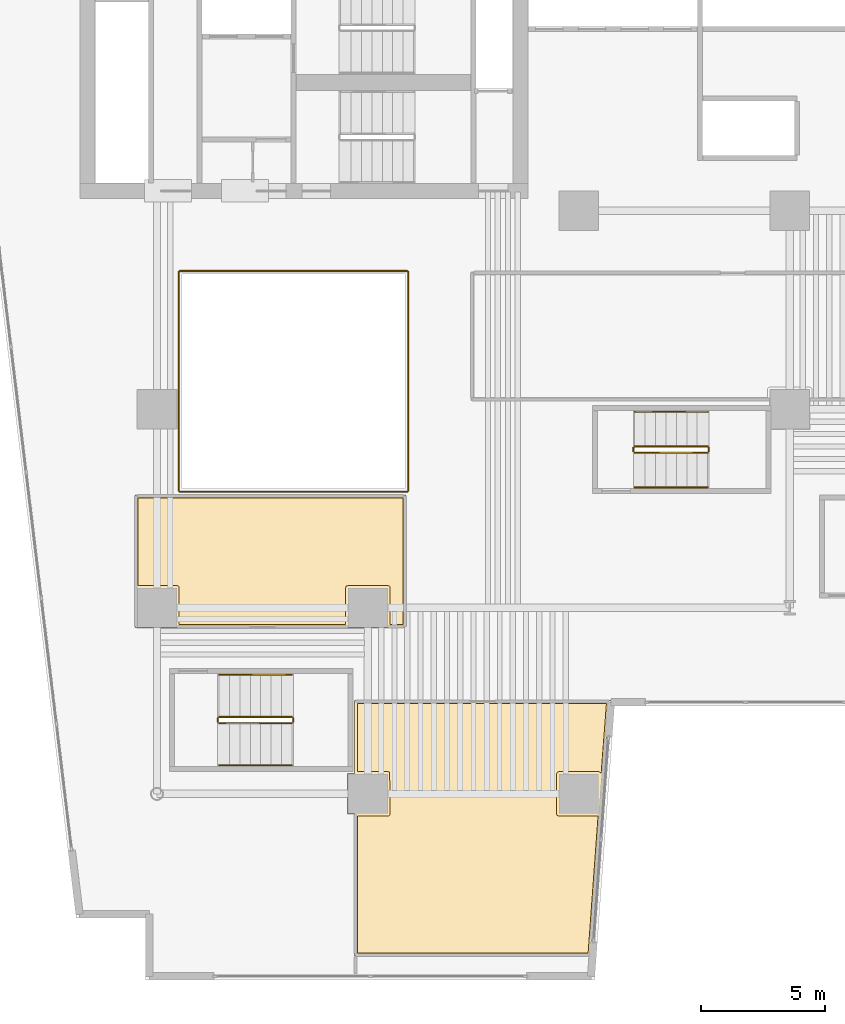
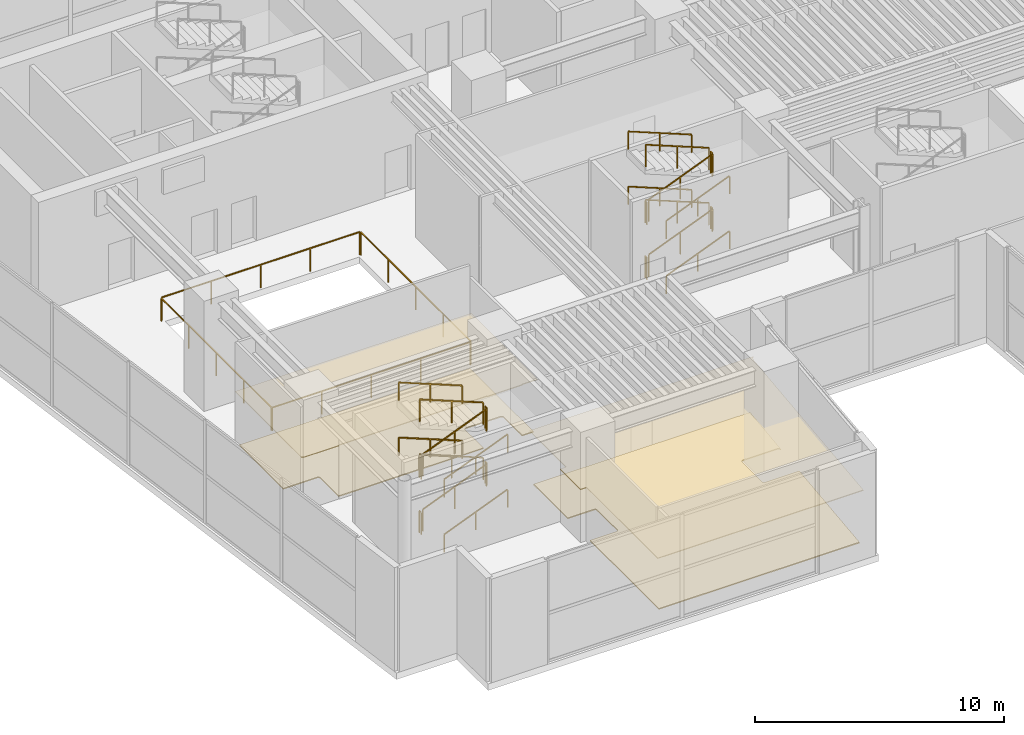
# One storey, part 13 of 16: 28 railings, 4 coverings.
"""IFC4 building model written with IfcOpenShell, lengths in metres."""

import ifcopenshell
import ifcopenshell.guid

model = None  # the IFC model being written
_history = None  # IfcOwnerHistory: only IFC2X3 demands one
_inside = {}  # id of a spatial element -> (the spatial element, [elements in it])
_under = {}  # id of a project, library or spatial element -> (it, [spatial elements below it])
_declared = {}  # id of a project -> (the project, [libraries it declares])
_typed = {}  # id of a type object -> (the type object, [elements of that type])
_made_of = {}  # id of a material, layer set ... -> (it, [elements and type objects made of it])


def new_model(schema):
    """Start an empty IFC model of exactly this schema.

    Asked for "IFC4X3", IfcOpenShell would pick the latest addendum, in which some entities
    have other attributes; the version numbers below select the first issue.
    IFC2X3 requires an IfcOwnerHistory on every rooted entity: one is made here for all.
    """
    global model, _history
    if schema == "IFC4X3":
        model = ifcopenshell.file(schema_version=(4, 3, 0, 0))
    else:
        model = ifcopenshell.file(schema=schema)
    _inside.clear()
    _under.clear()
    _declared.clear()
    _typed.clear()
    _made_of.clear()
    _history = None
    if model.schema == "IFC2X3":
        org = make("IfcOrganization", Name="unknown")
        user = make(
            "IfcPersonAndOrganization",
            ThePerson=make("IfcPerson", FamilyName="unknown"),
            TheOrganization=org,
        )
        app = make(
            "IfcApplication",
            ApplicationDeveloper=org,
            Version="unknown",
            ApplicationFullName="unknown",
            ApplicationIdentifier="unknown",
        )
        _history = make(
            "IfcOwnerHistory",
            OwningUser=user,
            OwningApplication=app,
            ChangeAction="ADDED",
            CreationDate=0,
        )
    return model


def make(cls, **values):
    """One entity of the class cls with the attributes given. An attribute that is None is left unset."""
    return model.create_entity(
        cls, **{name: value for name, value in values.items() if value is not None}
    )


def rooted(cls, **values):
    """An entity with a GlobalId (a new one), such as an element, a storey or a relation."""
    return make(cls, GlobalId=ifcopenshell.guid.new(), OwnerHistory=_history, **values)


def si_unit(unit_type, name, prefix=None):
    """IfcSIUnit, for example si_unit("LENGTHUNIT", "METRE", prefix="MILLI")."""
    return make("IfcSIUnit", UnitType=unit_type, Prefix=prefix, Name=name)


def assignment(units):
    """IfcUnitAssignment: the units of a project."""
    return None if units is None else make("IfcUnitAssignment", Units=units)


def point(xyz):
    """IfcCartesianPoint."""
    return None if xyz is None else make("IfcCartesianPoint", Coordinates=xyz)


def direction(xyz):
    """IfcDirection."""
    return None if xyz is None else make("IfcDirection", DirectionRatios=xyz)


def frame(location, z_axis=None, x_axis=None):
    """IfcAxis2Placement3D, a coordinate frame: its origin and axes. An axis left out is left unset."""
    return make(
        "IfcAxis2Placement3D",
        Location=point(location),
        Axis=direction(z_axis),
        RefDirection=direction(x_axis),
    )


def frame_2d(location, x_axis=None):
    """IfcAxis2Placement2D, a coordinate frame in the plane: its origin and x axis."""
    return make(
        "IfcAxis2Placement2D", Location=point(location), RefDirection=direction(x_axis)
    )


def origin():
    """The frame at (0, 0, 0) with its axes left unset."""
    return frame((0.0, 0.0, 0.0))


def origin_2d():
    """The frame at (0, 0) in the plane with its x axis left unset."""
    return frame_2d((0.0, 0.0))


def place(relative_to, where):
    """IfcLocalPlacement: puts the frame where relative to a parent placement (None: the world)."""
    return make(
        "IfcLocalPlacement", PlacementRelTo=relative_to, RelativePlacement=where
    )


def context(
    kind, dimensions, precision=None, world=None, true_north=None, identifier=None
):
    """IfcGeometricRepresentationContext, for example the 3D "Model" context."""
    return make(
        "IfcGeometricRepresentationContext",
        ContextIdentifier=identifier,
        ContextType=kind,
        CoordinateSpaceDimension=dimensions,
        Precision=precision,
        WorldCoordinateSystem=world,
        TrueNorth=true_north,
    )


def subcontext(parent, identifier, kind, view, scale=None):
    """IfcGeometricRepresentationSubContext, for example "Body" below "Model"."""
    return make(
        "IfcGeometricRepresentationSubContext",
        ContextIdentifier=identifier,
        ContextType=kind,
        ParentContext=parent,
        TargetScale=scale,
        TargetView=view,
    )


def project(units=None, contexts=None):
    """IfcProject with its units and contexts."""
    return rooted(
        "IfcProject",
        Name="project",
        RepresentationContexts=contexts,
        UnitsInContext=assignment(units),
    )


def spatial(cls, under=None, at=None, **own):
    """A site, building, storey or space (cls), placed at a placement, below another one or the project."""
    s = rooted(cls, ObjectPlacement=at, **own)
    if under is not None:
        _under.setdefault(under.id(), (under, []))[1].append(s)
    return s


def polyline(points):
    """IfcPolyline through the points."""
    return make("IfcPolyline", Points=[point(p) for p in points])


def profile(cls, at=None, kind="AREA", **sizes):
    """A parametric profile (cls). Its sizes go by their IFC names, for example OverallWidth=200.0."""
    return make(cls, ProfileType=kind, Position=at, **sizes)


def rectangle(**sizes):
    """IfcRectangleProfileDef."""
    return profile("IfcRectangleProfileDef", **sizes)


def outline(outer, holes=None, kind="AREA"):
    """IfcArbitraryClosedProfileDef: a profile drawn as a closed curve; with holes, ...WithVoids."""
    if holes is None:
        return make("IfcArbitraryClosedProfileDef", ProfileType=kind, OuterCurve=outer)
    return make(
        "IfcArbitraryProfileDefWithVoids",
        ProfileType=kind,
        OuterCurve=outer,
        InnerCurves=holes,
    )


def extrude(swept, where, along, depth):
    """IfcExtrudedAreaSolid: the profile swept, set in the frame where, extruded along a direction by depth."""
    return make(
        "IfcExtrudedAreaSolid",
        SweptArea=swept,
        Position=where,
        ExtrudedDirection=direction(along),
        Depth=depth,
    )


def shape(context_of_items, identifier, shape_type, items):
    """IfcShapeRepresentation: the items that make up one representation, for example the "Body"."""
    return make(
        "IfcShapeRepresentation",
        ContextOfItems=context_of_items,
        RepresentationIdentifier=identifier,
        RepresentationType=shape_type,
        Items=items,
    )


def material(Name=None, Category=None):
    """IfcMaterial."""
    return make("IfcMaterial", Name=Name, Category=Category)


def layer(
    of_material, thickness, ventilated=None, Name=None, Category=None, Priority=None
):
    """IfcMaterialLayer: one layer of a wall or slab, of a material (None: an air gap)."""
    return make(
        "IfcMaterialLayer",
        Material=of_material,
        LayerThickness=thickness,
        IsVentilated=ventilated,
        Name=Name,
        Category=Category,
        Priority=Priority,
    )


def layer_set(layers, Name=None):
    """IfcMaterialLayerSet."""
    return make("IfcMaterialLayerSet", MaterialLayers=layers, LayerSetName=Name)


def made_of(thing, what):
    """Note that an element or type object is made of a material, layer set ...; save() writes the relation."""
    if what is not None:
        _made_of.setdefault(what.id(), (what, []))[1].append(thing)
    return thing


def type_object(cls, material=None, **own):
    """A type object (cls), such as IfcWallType, which elements share."""
    return made_of(rooted(cls, **own), material)


def element(
    cls,
    number,
    at=None,
    inside=None,
    cuts=None,
    type_object=None,
    material=None,
    context=None,
    identifier="Body",
    shape_type=None,
    held_by="IfcProductDefinitionShape",
    body=None,
    shapes=None,
    **own,
):
    """One element of the class cls, such as IfcWall. Its Tag is "e" and its number.

    at: its placement. inside: the storey or other place that contains it. cuts: it is an
    opening in that element (IfcRelVoidsElement). A single representation is given by context,
    identifier, shape_type and body (its items); several are given by shapes. held_by: the class
    of the entity that holds the representations. save() writes the other relations.
    """
    e = rooted(cls, Tag="e%d" % number, ObjectPlacement=at, **own)
    if body is not None:
        shapes = [shape(context, identifier, shape_type, body)]
    if shapes is not None:
        e.Representation = make(held_by, Representations=shapes)
    if inside is not None:
        _inside.setdefault(inside.id(), (inside, []))[1].append(e)
    if cuts is not None:
        rooted(
            "IfcRelVoidsElement", RelatingBuildingElement=cuts, RelatedOpeningElement=e
        )
    if type_object is not None:
        _typed.setdefault(type_object.id(), (type_object, []))[1].append(e)
    return made_of(e, material)


def aggregate(whole, parts):
    """IfcRelAggregates: a whole, such as a stair, and the parts it consists of."""
    return rooted("IfcRelAggregates", RelatingObject=whole, RelatedObjects=parts)


def save(model, path):
    """Write the relations noted so far, then the file.

    IfcRelAggregates (storeys below a building ...), IfcRelContainedInSpatialStructure (elements
    in a storey), IfcRelDefinesByType, IfcRelAssociatesMaterial and IfcRelDeclares: one each for
    every whole, place, type object, material and project.
    """
    for whole, parts in _under.values():
        aggregate(whole, parts)
    for where, things in _inside.values():
        rooted(
            "IfcRelContainedInSpatialStructure",
            RelatedElements=things,
            RelatingStructure=where,
        )
    for kind, things in _typed.values():
        rooted("IfcRelDefinesByType", RelatedObjects=things, RelatingType=kind)
    for what, things in _made_of.values():
        rooted("IfcRelAssociatesMaterial", RelatedObjects=things, RelatingMaterial=what)
    for by, libraries in _declared.values():
        rooted("IfcRelDeclares", RelatingContext=by, RelatedDefinitions=libraries)
    model.write(path)


model = new_model("IFC4")

# Units and contexts
model_context = context("Model", 3, precision=1e-05, world=origin(), true_north=direction((0.0, 1.0)))
body_context = subcontext(model_context, "Body", "Model", "MODEL_VIEW")
ifc_project = project(units=[si_unit("LENGTHUNIT", "METRE"), si_unit("AREAUNIT", "SQUARE_METRE"), si_unit("VOLUMEUNIT", "CUBIC_METRE"), si_unit("PLANEANGLEUNIT", "RADIAN"), si_unit("MASSUNIT", "GRAM", prefix="KILO")], contexts=[model_context])

# Site, building, storey
site_placement = place(None, origin())
site = spatial("IfcSite", under=ifc_project, at=site_placement, CompositionType="ELEMENT")
building_placement = place(site_placement, origin())
building = spatial("IfcBuilding", under=site, at=building_placement, Name="Caeloran Harvest Quay", CompositionType="ELEMENT")
storey_placement = place(building_placement, frame((0.0, 0.0, 10.800048828125)))
storey = spatial("IfcBuildingStorey", under=building, at=storey_placement, Name="L03", CompositionType="ELEMENT", Elevation=10.800048828125)

# Coverings
ifc_material_1 = material(Name="Perforated Mineral-Fibre Acoustic Ceiling Tile", Category="ceiling")
ifc_layer_1 = layer(ifc_material_1, 0.0400390625, Name="Perforated Mineral-Fibre Acoustic Ceiling Tile")
ifc_layer_set_1 = layer_set([ifc_layer_1], Name="Perforated Mineral-Fibre Acoustic Ceiling Tile")
covering_type_1 = type_object("IfcCoveringType", Name="COV-CEILING-ACOUSTIC", PredefinedType="CEILING", material=ifc_layer_set_1)
covering_1_placement = place(storey_placement, frame((0.0, 0.0, 2.599853515625)))
element("IfcCovering", 1, at=covering_1_placement, inside=storey, type_object=covering_type_1, Name="Harvest Banquet and Tasting Dining Hall Acoustic Ceiling", PredefinedType="CEILING", context=body_context, shape_type="SweptSolid", body=[
    extrude(outline(polyline([(9.320068359375, 14.179931640625), (7.679931640625, 14.179931640625), (7.679931640625, 14.2099609375), (7.610107421875, 14.2099609375), (7.610107421875, 19.5400390625), (18.5400390625, 19.5400390625), (18.5400390625, 14.2099609375), (17.820068359375, 14.2099609375), (17.820068359375, 14.179931640625), (16.179931640625, 14.179931640625), (16.179931640625, 14.2099609375), (9.320068359375, 14.2099609375), (9.320068359375, 14.179931640625)])), origin(), (0.0, 0.0, 1.0), 0.0400390625),
])
covering_2_placement = place(storey_placement, frame((0.0, 0.0, 2.599853515625)))
element("IfcCovering", 2, at=covering_2_placement, inside=storey, type_object=covering_type_1, Name="Open Teppan and Seafood Kitchen Acoustic Ceiling", PredefinedType="CEILING", context=body_context, shape_type="SweptSolid", body=[
    extrude(outline(polyline([(26.763916015625, 11.177001953125), (26.716552734375, 11.054931640625), (25.985107421875, 0.9599609375), (16.4599609375, 0.9599609375), (16.4599609375, 6.679931640625), (16.179931640625, 6.679931640625), (16.179931640625, 8.320068359375), (16.4599609375, 8.320068359375), (16.4599609375, 11.260009765625), (26.8369140625, 11.260009765625), (26.763916015625, 11.177001953125)])), origin(), (0.0, 0.0, 1.0), 0.0400390625),
])
ifc_material_2 = material(Name="Calcium-Sulphate Raised Access Floor and Terrazzo Finish", Category="flooring")
ifc_layer_2 = layer(ifc_material_2, 0.050048828125, Name="Calcium-Sulphate Raised Access Floor and Terrazzo Finish")
ifc_layer_set_2 = layer_set([ifc_layer_2], Name="Calcium-Sulphate Raised Access Floor and Terrazzo Finish")
covering_type_2 = type_object("IfcCoveringType", Name="COV-FLOOR-RAISED", PredefinedType="FLOORING", material=ifc_layer_set_2)
covering_3_placement = place(storey_placement, origin())
element("IfcCovering", 3, at=covering_3_placement, inside=storey, type_object=covering_type_2, Name="Harvest Banquet and Tasting Dining Hall Raised Finish Flooring", PredefinedType="FLOORING", context=body_context, shape_type="SweptSolid", body=[
    extrude(outline(polyline([(7.72998046875, 15.89501953125), (7.72998046875, 19.419921875), (18.419921875, 19.419921875), (18.419921875, 14.330078125), (17.89501953125, 14.330078125), (17.89501953125, 15.81494140625), (17.876708984375, 15.86572265625), (17.82275390625, 15.89453125), (16.18505859375, 15.89501953125), (16.12841796875, 15.87158203125), (16.10498046875, 15.81494140625), (16.10498046875, 14.330078125), (9.39501953125, 14.330078125), (9.39501953125, 15.81494140625), (9.37158203125, 15.87158203125), (9.31494140625, 15.89501953125), (7.72998046875, 15.89501953125)])), origin(), (0.0, 0.0, 1.0), 0.050048828125),
])
covering_4_placement = place(storey_placement, origin())
element("IfcCovering", 4, at=covering_4_placement, inside=storey, type_object=covering_type_2, Name="Open Teppan and Seafood Kitchen Raised Finish Flooring", PredefinedType="FLOORING", context=body_context, shape_type="SweptSolid", body=[
    extrude(outline(polyline([(26.273681640625, 6.60498046875), (25.873291015625, 1.080078125), (16.580078125, 1.080078125), (16.580078125, 6.60498046875), (17.82275390625, 6.60546875), (17.876708984375, 6.63427734375), (17.89501953125, 6.68505859375), (17.876708984375, 8.36572265625), (17.81494140625, 8.39501953125), (16.580078125, 8.39501953125), (16.580078125, 11.139892578125), (26.611328125, 11.139892578125), (26.39501953125, 8.278564453125), (26.381591796875, 8.359375), (26.31494140625, 8.39501953125), (24.68505859375, 8.39501953125), (24.63427734375, 8.376708984375), (24.60546875, 8.32275390625), (24.60498046875, 6.68505859375), (24.62841796875, 6.62841796875), (24.68505859375, 6.60498046875), (26.273681640625, 6.60498046875)])), origin(), (0.0, 0.0, 1.0), 0.050048828125),
])

# Railings
ifc_material_3 = material(Name="Powder-Coated Steel Post and Laminated Glass Guardrail", Category="steel")
ifc_layer_3 = layer(ifc_material_3, 0.06005859375, Name="Powder-Coated Steel Post and Laminated Glass Guardrail")
ifc_layer_set_3 = layer_set([ifc_layer_3], Name="Powder-Coated Steel Post and Laminated Glass Guardrail")
railing_type_1 = type_object("IfcRailingType", Name="GUARD-ATRIUM-1150", PredefinedType="GUARDRAIL", material=ifc_layer_set_3)
railing_1_placement = place(storey_placement, frame((9.412109375, 19.679931640625, 0.0)))
element("IfcRailing", 5, at=railing_1_placement, inside=storey, type_object=railing_type_1, Name="L03 Skylit Atrium Void Perimeter Guardrail Seg 1", PredefinedType="GUARDRAIL", context=body_context, shape_type="SweptSolid", body=[
    extrude(rectangle(XDim=0.048095703125, YDim=0.048095703125, at=origin_2d()), frame((0.0, 0.0, 1.1259765625), z_axis=(1.0, 0.0, 0.0), x_axis=(0.0, 1.0, 0.0)), (0.0, 0.0, 1.0), 9.17578125),
    extrude(rectangle(XDim=0.0419921875, YDim=0.0419921875, at=origin_2d()), origin(), (0.0, 0.0, 1.0), 1.101806640625),
    extrude(rectangle(XDim=0.0419921875, YDim=0.0419921875, at=origin_2d()), frame((2.2939453125, 0.0, 0.0)), (0.0, 0.0, 1.0), 1.101806640625),
    extrude(rectangle(XDim=0.0419921875, YDim=0.0419921875, at=origin_2d()), frame((4.587890625, 0.0, 0.0)), (0.0, 0.0, 1.0), 1.101806640625),
    extrude(rectangle(XDim=0.0419921875, YDim=0.0419921875, at=origin_2d()), frame((6.8818359375, 0.0, 0.0)), (0.0, 0.0, 1.0), 1.101806640625),
    extrude(rectangle(XDim=0.0419921875, YDim=0.0419921875, at=origin_2d()), frame((9.17578125, 0.0, 0.0)), (0.0, 0.0, 1.0), 1.101806640625),
])
railing_2_placement = place(storey_placement, frame((18.6201171875, 19.7119140625, 0.0)))
element("IfcRailing", 6, at=railing_2_placement, inside=storey, type_object=railing_type_1, Name="L03 Skylit Atrium Void Perimeter Guardrail Seg 2", PredefinedType="GUARDRAIL", context=body_context, shape_type="SweptSolid", body=[
    extrude(rectangle(XDim=0.048095703125, YDim=0.048095703125, at=origin_2d()), frame((0.0, 0.0, 1.1259765625), z_axis=(0.0, 1.0, 0.0), x_axis=(-1.0, 0.0, 0.0)), (0.0, 0.0, 1.0), 8.826171875),
    extrude(rectangle(XDim=0.0419921875, YDim=0.0419921875, at=origin_2d()), origin(), (0.0, 0.0, 1.0), 1.101806640625),
    extrude(rectangle(XDim=0.0419921875, YDim=0.0419921875, at=origin_2d()), frame((0.0, 2.20654296875, 0.0)), (0.0, 0.0, 1.0), 1.101806640625),
    extrude(rectangle(XDim=0.0419921875, YDim=0.0419921875, at=origin_2d()), frame((0.0, 4.4130859375, 0.0)), (0.0, 0.0, 1.0), 1.101806640625),
    extrude(rectangle(XDim=0.0419921875, YDim=0.0419921875, at=origin_2d()), frame((0.0, 6.61962890625, 0.0)), (0.0, 0.0, 1.0), 1.101806640625),
    extrude(rectangle(XDim=0.0419921875, YDim=0.0419921875, at=origin_2d()), frame((0.0, 8.826171875, 0.0)), (0.0, 0.0, 1.0), 1.101806640625),
])
railing_3_placement = place(storey_placement, frame((18.587890625, 28.570068359375, 0.0)))
element("IfcRailing", 7, at=railing_3_placement, inside=storey, type_object=railing_type_1, Name="L03 Skylit Atrium Void Perimeter Guardrail Seg 3", PredefinedType="GUARDRAIL", context=body_context, shape_type="SweptSolid", body=[
    extrude(rectangle(XDim=0.048095703125, YDim=0.048095703125, at=origin_2d()), frame((0.0, 0.0, 1.1259765625), z_axis=(-1.0, 0.0, 0.0), x_axis=(0.0, -1.0, 0.0)), (0.0, 0.0, 1.0), 9.17578125),
    extrude(rectangle(XDim=0.0419921875, YDim=0.0419921875, at=origin_2d()), origin(), (0.0, 0.0, 1.0), 1.101806640625),
    extrude(rectangle(XDim=0.0419921875, YDim=0.0419921875, at=origin_2d()), frame((-2.2939453125, 0.0, 0.0)), (0.0, 0.0, 1.0), 1.101806640625),
    extrude(rectangle(XDim=0.0419921875, YDim=0.0419921875, at=origin_2d()), frame((-4.587890625, 0.0, 0.0)), (0.0, 0.0, 1.0), 1.101806640625),
    extrude(rectangle(XDim=0.0419921875, YDim=0.0419921875, at=origin_2d()), frame((-6.8818359375, 0.0, 0.0)), (0.0, 0.0, 1.0), 1.101806640625),
    extrude(rectangle(XDim=0.0419921875, YDim=0.0419921875, at=origin_2d()), frame((-9.17578125, 0.0, 0.0)), (0.0, 0.0, 1.0), 1.101806640625),
])
railing_4_placement = place(storey_placement, frame((9.3798828125, 28.5380859375, 0.0)))
element("IfcRailing", 8, at=railing_4_placement, inside=storey, type_object=railing_type_1, Name="L03 Skylit Atrium Void Perimeter Guardrail Seg 4", PredefinedType="GUARDRAIL", context=body_context, shape_type="SweptSolid", body=[
    extrude(rectangle(XDim=0.048095703125, YDim=0.048095703125, at=origin_2d()), frame((0.0, 0.0, 1.1259765625), z_axis=(0.0, -1.0, 0.0), x_axis=(1.0, 0.0, 0.0)), (0.0, 0.0, 1.0), 8.826171875),
    extrude(rectangle(XDim=0.0419921875, YDim=0.0419921875, at=origin_2d()), origin(), (0.0, 0.0, 1.0), 1.101806640625),
    extrude(rectangle(XDim=0.0419921875, YDim=0.0419921875, at=origin_2d()), frame((0.0, -2.20654296875, 0.0)), (0.0, 0.0, 1.0), 1.101806640625),
    extrude(rectangle(XDim=0.0419921875, YDim=0.0419921875, at=origin_2d()), frame((0.0, -4.4130859375, 0.0)), (0.0, 0.0, 1.0), 1.101806640625),
    extrude(rectangle(XDim=0.0419921875, YDim=0.0419921875, at=origin_2d()), frame((0.0, -6.61962890625, 0.0)), (0.0, 0.0, 1.0), 1.101806640625),
    extrude(rectangle(XDim=0.0419921875, YDim=0.0419921875, at=origin_2d()), frame((0.0, -8.826171875, 0.0)), (0.0, 0.0, 1.0), 1.101806640625),
])
ifc_material_4 = material(Name="Painted Steel Baluster and Top-Rail Stair Guard", Category="steel")
ifc_layer_4 = layer(ifc_material_4, 0.050048828125, Name="Painted Steel Baluster and Top-Rail Stair Guard")
ifc_layer_set_4 = layer_set([ifc_layer_4], Name="Painted Steel Baluster and Top-Rail Stair Guard")
railing_type_2 = type_object("IfcRailingType", Name="STAIR-GUARD-1100", PredefinedType="GUARDRAIL", material=ifc_layer_set_4)
railing_5_placement = place(storey_placement, frame((27.75, 21.25, 0.168701171875)))
element("IfcRailing", 9, at=railing_5_placement, inside=storey, type_object=railing_type_2, Name="L03 ST-W1 stair guard 1", PredefinedType="GUARDRAIL", context=body_context, shape_type="SweptSolid", body=[
    extrude(rectangle(XDim=0.048095703125, YDim=0.048095703125, at=origin_2d()), frame((0.0, 0.0, 1.076171875), z_axis=(0.927912314548, 0.0, 0.372798519995), x_axis=(0.0, 1.0, 0.0)), (0.0, 0.0, 1.0), 3.16845703125),
    extrude(rectangle(XDim=0.0419921875, YDim=0.0419921875, at=origin_2d()), origin(), (0.0, 0.0, 1.0), 1.052001953125),
    extrude(rectangle(XDim=0.0419921875, YDim=0.0419921875, at=origin_2d()), frame((1.469970703125, 0.0, 0.590576171875)), (0.0, 0.0, 1.0), 1.052001953125),
    extrude(rectangle(XDim=0.0419921875, YDim=0.0419921875, at=origin_2d()), frame((2.93994140625, 0.0, 1.18115234375)), (0.0, 0.0, 1.0), 1.052001953125),
])
railing_6_placement = place(storey_placement, frame((30.739990234375, 21.300048828125, 1.349853515625)))
element("IfcRailing", 10, at=railing_6_placement, inside=storey, type_object=railing_type_2, Name="L03 ST-W1 stair guard 2", PredefinedType="GUARDRAIL", context=body_context, shape_type="SweptSolid", body=[
    extrude(rectangle(XDim=0.048095703125, YDim=0.048095703125, at=origin_2d()), frame((0.0, 0.0, 1.076171875), z_axis=(0.0, 1.0, 0.0), x_axis=(-1.0, 0.0, 0.0)), (0.0, 0.0, 1.0), 0.14990234375),
    extrude(rectangle(XDim=0.0419921875, YDim=0.0419921875, at=origin_2d()), origin(), (0.0, 0.0, 1.0), 1.052001953125),
    extrude(rectangle(XDim=0.0419921875, YDim=0.0419921875, at=origin_2d()), frame((0.0, 0.14990234375, 0.0)), (0.0, 0.0, 1.0), 1.052001953125),
])
railing_7_placement = place(storey_placement, frame((30.68994140625, 21.5, 1.518798828125)))
element("IfcRailing", 11, at=railing_7_placement, inside=storey, type_object=railing_type_2, Name="L03 ST-W1 stair guard 3", PredefinedType="GUARDRAIL", context=body_context, shape_type="SweptSolid", body=[
    extrude(rectangle(XDim=0.048095703125, YDim=0.048095703125, at=origin_2d()), frame((0.0, 0.0, 1.076171875), z_axis=(-0.927912314548, 0.0, 0.372798519995), x_axis=(0.0, -1.0, 0.0)), (0.0, 0.0, 1.0), 3.16845703125),
    extrude(rectangle(XDim=0.0419921875, YDim=0.0419921875, at=origin_2d()), origin(), (0.0, 0.0, 1.0), 1.052001953125),
    extrude(rectangle(XDim=0.0419921875, YDim=0.0419921875, at=origin_2d()), frame((-1.469970703125, 0.0, 0.590576171875)), (0.0, 0.0, 1.0), 1.052001953125),
    extrude(rectangle(XDim=0.0419921875, YDim=0.0419921875, at=origin_2d()), frame((-2.93994140625, 0.0, 1.18115234375)), (0.0, 0.0, 1.0), 1.052001953125),
])
railing_8_placement = place(storey_placement, frame((27.699951171875, 21.300048828125, 2.699951171875)))
element("IfcRailing", 12, at=railing_8_placement, inside=storey, type_object=railing_type_2, Name="L03 ST-W1 stair guard 4", PredefinedType="GUARDRAIL", context=body_context, shape_type="SweptSolid", body=[
    extrude(rectangle(XDim=0.048095703125, YDim=0.048095703125, at=origin_2d()), frame((0.0, 0.0, 1.076171875), z_axis=(0.0, 1.0, 0.0), x_axis=(-1.0, 0.0, 0.0)), (0.0, 0.0, 1.0), 0.14990234375),
    extrude(rectangle(XDim=0.0419921875, YDim=0.0419921875, at=origin_2d()), origin(), (0.0, 0.0, 1.0), 1.052001953125),
    extrude(rectangle(XDim=0.0419921875, YDim=0.0419921875, at=origin_2d()), frame((0.0, 0.14990234375, 0.0)), (0.0, 0.0, 1.0), 1.052001953125),
])
railing_9_placement = place(storey_placement, frame((27.75, 21.25, 2.86865234375)))
element("IfcRailing", 13, at=railing_9_placement, inside=storey, type_object=railing_type_2, Name="L03 ST-W1 stair guard 5", PredefinedType="GUARDRAIL", context=body_context, shape_type="SweptSolid", body=[
    extrude(rectangle(XDim=0.048095703125, YDim=0.048095703125, at=origin_2d()), frame((0.0, 0.0, 1.076171875), z_axis=(0.927885657282, 0.0, 0.372864864274), x_axis=(0.0, 1.0, 0.0)), (0.0, 0.0, 1.0), 3.16845703125),
    extrude(rectangle(XDim=0.0419921875, YDim=0.0419921875, at=origin_2d()), origin(), (0.0, 0.0, 1.0), 1.052001953125),
    extrude(rectangle(XDim=0.0419921875, YDim=0.0419921875, at=origin_2d()), frame((1.469970703125, 0.0, 0.5908203125)), (0.0, 0.0, 1.0), 1.052001953125),
    extrude(rectangle(XDim=0.0419921875, YDim=0.0419921875, at=origin_2d()), frame((2.93994140625, 0.0, 1.181396484375)), (0.0, 0.0, 1.0), 1.052001953125),
])
railing_10_placement = place(storey_placement, frame((30.739990234375, 21.300048828125, 4.050048828125)))
element("IfcRailing", 14, at=railing_10_placement, inside=storey, type_object=railing_type_2, Name="L03 ST-W1 stair guard 6", PredefinedType="GUARDRAIL", context=body_context, shape_type="SweptSolid", body=[
    extrude(rectangle(XDim=0.048095703125, YDim=0.048095703125, at=origin_2d()), frame((0.0, 0.0, 1.076171875), z_axis=(0.0, 1.0, 0.0), x_axis=(-1.0, 0.0, 0.0)), (0.0, 0.0, 1.0), 0.14990234375),
    extrude(rectangle(XDim=0.0419921875, YDim=0.0419921875, at=origin_2d()), origin(), (0.0, 0.0, 1.0), 1.052001953125),
    extrude(rectangle(XDim=0.0419921875, YDim=0.0419921875, at=origin_2d()), frame((0.0, 0.14990234375, 0.0)), (0.0, 0.0, 1.0), 1.052001953125),
])
railing_11_placement = place(storey_placement, frame((30.68994140625, 21.5, 4.21875)))
element("IfcRailing", 15, at=railing_11_placement, inside=storey, type_object=railing_type_2, Name="L03 ST-W1 stair guard 7", PredefinedType="GUARDRAIL", context=body_context, shape_type="SweptSolid", body=[
    extrude(rectangle(XDim=0.048095703125, YDim=0.048095703125, at=origin_2d()), frame((0.0, 0.0, 1.076171875), z_axis=(-0.927912314548, 0.0, 0.372798519995), x_axis=(0.0, -1.0, 0.0)), (0.0, 0.0, 1.0), 3.16845703125),
    extrude(rectangle(XDim=0.0419921875, YDim=0.0419921875, at=origin_2d()), origin(), (0.0, 0.0, 1.0), 1.052001953125),
    extrude(rectangle(XDim=0.0419921875, YDim=0.0419921875, at=origin_2d()), frame((-1.469970703125, 0.0, 0.590576171875)), (0.0, 0.0, 1.0), 1.052001953125),
    extrude(rectangle(XDim=0.0419921875, YDim=0.0419921875, at=origin_2d()), frame((-2.93994140625, 0.0, 1.18115234375)), (0.0, 0.0, 1.0), 1.052001953125),
])
railing_12_placement = place(storey_placement, frame((27.699951171875, 21.300048828125, 0.0)))
element("IfcRailing", 16, at=railing_12_placement, inside=storey, type_object=railing_type_2, Name="L03 ST-W1 stair guard 8", PredefinedType="GUARDRAIL", context=body_context, shape_type="SweptSolid", body=[
    extrude(rectangle(XDim=0.048095703125, YDim=0.048095703125, at=origin_2d()), frame((0.0, 0.0, 1.076171875), z_axis=(0.0, 1.0, 0.0), x_axis=(-1.0, 0.0, 0.0)), (0.0, 0.0, 1.0), 0.14990234375),
    extrude(rectangle(XDim=0.0419921875, YDim=0.0419921875, at=origin_2d()), origin(), (0.0, 0.0, 1.0), 1.052001953125),
    extrude(rectangle(XDim=0.0419921875, YDim=0.0419921875, at=origin_2d()), frame((0.0, 0.14990234375, 0.0)), (0.0, 0.0, 1.0), 1.052001953125),
])
railing_13_placement = place(storey_placement, frame((11.0, 10.35009765625, 0.168701171875)))
element("IfcRailing", 17, at=railing_13_placement, inside=storey, type_object=railing_type_2, Name="L03 ST-P1 stair guard 1", PredefinedType="GUARDRAIL", context=body_context, shape_type="SweptSolid", body=[
    extrude(rectangle(XDim=0.048095703125, YDim=0.048095703125, at=origin_2d()), frame((0.0, 0.0, 1.076171875), z_axis=(0.927912314548, 0.0, 0.372798519995), x_axis=(0.0, 1.0, 0.0)), (0.0, 0.0, 1.0), 3.16845703125),
    extrude(rectangle(XDim=0.0419921875, YDim=0.0419921875, at=origin_2d()), origin(), (0.0, 0.0, 1.0), 1.052001953125),
    extrude(rectangle(XDim=0.0419921875, YDim=0.0419921875, at=origin_2d()), frame((1.469970703125, 0.0, 0.590576171875)), (0.0, 0.0, 1.0), 1.052001953125),
    extrude(rectangle(XDim=0.0419921875, YDim=0.0419921875, at=origin_2d()), frame((2.93994140625, 0.0, 1.18115234375)), (0.0, 0.0, 1.0), 1.052001953125),
])
railing_14_placement = place(storey_placement, frame((13.989990234375, 10.39990234375, 1.349853515625)))
element("IfcRailing", 18, at=railing_14_placement, inside=storey, type_object=railing_type_2, Name="L03 ST-P1 stair guard 2", PredefinedType="GUARDRAIL", context=body_context, shape_type="SweptSolid", body=[
    extrude(rectangle(XDim=0.048095703125, YDim=0.048095703125, at=origin_2d()), frame((0.0, 0.0, 1.076171875), z_axis=(0.0, 1.0, 0.0), x_axis=(-1.0, 0.0, 0.0)), (0.0, 0.0, 1.0), 0.150146484375),
    extrude(rectangle(XDim=0.0419921875, YDim=0.0419921875, at=origin_2d()), origin(), (0.0, 0.0, 1.0), 1.052001953125),
    extrude(rectangle(XDim=0.0419921875, YDim=0.0419921875, at=origin_2d()), frame((0.0, 0.150146484375, 0.0)), (0.0, 0.0, 1.0), 1.052001953125),
])
railing_15_placement = place(storey_placement, frame((13.93994140625, 10.60009765625, 1.518798828125)))
element("IfcRailing", 19, at=railing_15_placement, inside=storey, type_object=railing_type_2, Name="L03 ST-P1 stair guard 3", PredefinedType="GUARDRAIL", context=body_context, shape_type="SweptSolid", body=[
    extrude(rectangle(XDim=0.048095703125, YDim=0.048095703125, at=origin_2d()), frame((0.0, 0.0, 1.076171875), z_axis=(-0.927912314548, 0.0, 0.372798519995), x_axis=(0.0, -1.0, 0.0)), (0.0, 0.0, 1.0), 3.16845703125),
    extrude(rectangle(XDim=0.0419921875, YDim=0.0419921875, at=origin_2d()), origin(), (0.0, 0.0, 1.0), 1.052001953125),
    extrude(rectangle(XDim=0.0419921875, YDim=0.0419921875, at=origin_2d()), frame((-1.469970703125, 0.0, 0.590576171875)), (0.0, 0.0, 1.0), 1.052001953125),
    extrude(rectangle(XDim=0.0419921875, YDim=0.0419921875, at=origin_2d()), frame((-2.93994140625, 0.0, 1.18115234375)), (0.0, 0.0, 1.0), 1.052001953125),
])
railing_16_placement = place(storey_placement, frame((10.949951171875, 10.39990234375, 2.699951171875)))
element("IfcRailing", 20, at=railing_16_placement, inside=storey, type_object=railing_type_2, Name="L03 ST-P1 stair guard 4", PredefinedType="GUARDRAIL", context=body_context, shape_type="SweptSolid", body=[
    extrude(rectangle(XDim=0.048095703125, YDim=0.048095703125, at=origin_2d()), frame((0.0, 0.0, 1.076171875), z_axis=(0.0, 1.0, 0.0), x_axis=(-1.0, 0.0, 0.0)), (0.0, 0.0, 1.0), 0.150146484375),
    extrude(rectangle(XDim=0.0419921875, YDim=0.0419921875, at=origin_2d()), origin(), (0.0, 0.0, 1.0), 1.052001953125),
    extrude(rectangle(XDim=0.0419921875, YDim=0.0419921875, at=origin_2d()), frame((0.0, 0.150146484375, 0.0)), (0.0, 0.0, 1.0), 1.052001953125),
])
railing_17_placement = place(storey_placement, frame((11.0, 10.35009765625, 2.86865234375)))
element("IfcRailing", 21, at=railing_17_placement, inside=storey, type_object=railing_type_2, Name="L03 ST-P1 stair guard 5", PredefinedType="GUARDRAIL", context=body_context, shape_type="SweptSolid", body=[
    extrude(rectangle(XDim=0.048095703125, YDim=0.048095703125, at=origin_2d()), frame((0.0, 0.0, 1.076171875), z_axis=(0.927885657282, 0.0, 0.372864864274), x_axis=(0.0, 1.0, 0.0)), (0.0, 0.0, 1.0), 3.16845703125),
    extrude(rectangle(XDim=0.0419921875, YDim=0.0419921875, at=origin_2d()), origin(), (0.0, 0.0, 1.0), 1.052001953125),
    extrude(rectangle(XDim=0.0419921875, YDim=0.0419921875, at=origin_2d()), frame((1.469970703125, 0.0, 0.5908203125)), (0.0, 0.0, 1.0), 1.052001953125),
    extrude(rectangle(XDim=0.0419921875, YDim=0.0419921875, at=origin_2d()), frame((2.93994140625, 0.0, 1.181396484375)), (0.0, 0.0, 1.0), 1.052001953125),
])
railing_18_placement = place(storey_placement, frame((13.989990234375, 10.39990234375, 4.050048828125)))
element("IfcRailing", 22, at=railing_18_placement, inside=storey, type_object=railing_type_2, Name="L03 ST-P1 stair guard 6", PredefinedType="GUARDRAIL", context=body_context, shape_type="SweptSolid", body=[
    extrude(rectangle(XDim=0.048095703125, YDim=0.048095703125, at=origin_2d()), frame((0.0, 0.0, 1.076171875), z_axis=(0.0, 1.0, 0.0), x_axis=(-1.0, 0.0, 0.0)), (0.0, 0.0, 1.0), 0.150146484375),
    extrude(rectangle(XDim=0.0419921875, YDim=0.0419921875, at=origin_2d()), origin(), (0.0, 0.0, 1.0), 1.052001953125),
    extrude(rectangle(XDim=0.0419921875, YDim=0.0419921875, at=origin_2d()), frame((0.0, 0.150146484375, 0.0)), (0.0, 0.0, 1.0), 1.052001953125),
])
railing_19_placement = place(storey_placement, frame((13.93994140625, 10.60009765625, 4.21875)))
element("IfcRailing", 23, at=railing_19_placement, inside=storey, type_object=railing_type_2, Name="L03 ST-P1 stair guard 7", PredefinedType="GUARDRAIL", context=body_context, shape_type="SweptSolid", body=[
    extrude(rectangle(XDim=0.048095703125, YDim=0.048095703125, at=origin_2d()), frame((0.0, 0.0, 1.076171875), z_axis=(-0.927912314548, 0.0, 0.372798519995), x_axis=(0.0, -1.0, 0.0)), (0.0, 0.0, 1.0), 3.16845703125),
    extrude(rectangle(XDim=0.0419921875, YDim=0.0419921875, at=origin_2d()), origin(), (0.0, 0.0, 1.0), 1.052001953125),
    extrude(rectangle(XDim=0.0419921875, YDim=0.0419921875, at=origin_2d()), frame((-1.469970703125, 0.0, 0.590576171875)), (0.0, 0.0, 1.0), 1.052001953125),
    extrude(rectangle(XDim=0.0419921875, YDim=0.0419921875, at=origin_2d()), frame((-2.93994140625, 0.0, 1.18115234375)), (0.0, 0.0, 1.0), 1.052001953125),
])
railing_20_placement = place(storey_placement, frame((10.949951171875, 10.39990234375, 0.0)))
element("IfcRailing", 24, at=railing_20_placement, inside=storey, type_object=railing_type_2, Name="L03 ST-P1 stair guard 8", PredefinedType="GUARDRAIL", context=body_context, shape_type="SweptSolid", body=[
    extrude(rectangle(XDim=0.048095703125, YDim=0.048095703125, at=origin_2d()), frame((0.0, 0.0, 1.076171875), z_axis=(0.0, 1.0, 0.0), x_axis=(-1.0, 0.0, 0.0)), (0.0, 0.0, 1.0), 0.150146484375),
    extrude(rectangle(XDim=0.0419921875, YDim=0.0419921875, at=origin_2d()), origin(), (0.0, 0.0, 1.0), 1.052001953125),
    extrude(rectangle(XDim=0.0419921875, YDim=0.0419921875, at=origin_2d()), frame((0.0, 0.150146484375, 0.0)), (0.0, 0.0, 1.0), 1.052001953125),
])
ifc_material_5 = material(Name="Brushed Stainless Steel Grade 304", Category="steel")
ifc_layer_5 = layer(ifc_material_5, 0.050048828125, Name="Brushed Stainless Steel Grade 304")
ifc_layer_set_5 = layer_set([ifc_layer_5], Name="Brushed Stainless Steel Grade 304")
railing_type_3 = type_object("IfcRailingType", Name="STAIR-HANDRAIL-900", PredefinedType="HANDRAIL", material=ifc_layer_set_5)
railing_21_placement = place(storey_placement, frame((27.75, 19.85009765625, 0.168701171875)))
element("IfcRailing", 25, at=railing_21_placement, inside=storey, type_object=railing_type_3, Name="L03 ST-W1 stair handrail 1", PredefinedType="HANDRAIL", context=body_context, shape_type="SweptSolid", body=[
    extrude(rectangle(XDim=0.048095703125, YDim=0.048095703125, at=origin_2d()), frame((0.0, 0.0, 0.8759765625), z_axis=(0.927912314548, 0.0, 0.372798519995), x_axis=(0.0, 1.0, 0.0)), (0.0, 0.0, 1.0), 3.16845703125),
    extrude(rectangle(XDim=0.0419921875, YDim=0.0419921875, at=origin_2d()), origin(), (0.0, 0.0, 1.0), 0.851806640625),
    extrude(rectangle(XDim=0.0419921875, YDim=0.0419921875, at=origin_2d()), frame((1.469970703125, 0.0, 0.590576171875)), (0.0, 0.0, 1.0), 0.851806640625),
    extrude(rectangle(XDim=0.0419921875, YDim=0.0419921875, at=origin_2d()), frame((2.93994140625, 0.0, 1.18115234375)), (0.0, 0.0, 1.0), 0.851806640625),
])
railing_22_placement = place(storey_placement, frame((30.68994140625, 22.89990234375, 1.518798828125)))
element("IfcRailing", 26, at=railing_22_placement, inside=storey, type_object=railing_type_3, Name="L03 ST-W1 stair handrail 2", PredefinedType="HANDRAIL", context=body_context, shape_type="SweptSolid", body=[
    extrude(rectangle(XDim=0.048095703125, YDim=0.048095703125, at=origin_2d()), frame((0.0, 0.0, 0.8759765625), z_axis=(-0.927912314548, 0.0, 0.372798519995), x_axis=(0.0, -1.0, 0.0)), (0.0, 0.0, 1.0), 3.16845703125),
    extrude(rectangle(XDim=0.0419921875, YDim=0.0419921875, at=origin_2d()), origin(), (0.0, 0.0, 1.0), 0.851806640625),
    extrude(rectangle(XDim=0.0419921875, YDim=0.0419921875, at=origin_2d()), frame((-1.469970703125, 0.0, 0.590576171875)), (0.0, 0.0, 1.0), 0.851806640625),
    extrude(rectangle(XDim=0.0419921875, YDim=0.0419921875, at=origin_2d()), frame((-2.93994140625, 0.0, 1.18115234375)), (0.0, 0.0, 1.0), 0.851806640625),
])
railing_23_placement = place(storey_placement, frame((27.75, 19.85009765625, 2.86865234375)))
element("IfcRailing", 27, at=railing_23_placement, inside=storey, type_object=railing_type_3, Name="L03 ST-W1 stair handrail 3", PredefinedType="HANDRAIL", context=body_context, shape_type="SweptSolid", body=[
    extrude(rectangle(XDim=0.048095703125, YDim=0.048095703125, at=origin_2d()), frame((0.0, 0.0, 0.8759765625), z_axis=(0.927885657282, 0.0, 0.372864864274), x_axis=(0.0, 1.0, 0.0)), (0.0, 0.0, 1.0), 3.16845703125),
    extrude(rectangle(XDim=0.0419921875, YDim=0.0419921875, at=origin_2d()), origin(), (0.0, 0.0, 1.0), 0.851806640625),
    extrude(rectangle(XDim=0.0419921875, YDim=0.0419921875, at=origin_2d()), frame((1.469970703125, 0.0, 0.5908203125)), (0.0, 0.0, 1.0), 0.851806640625),
    extrude(rectangle(XDim=0.0419921875, YDim=0.0419921875, at=origin_2d()), frame((2.93994140625, 0.0, 1.181396484375)), (0.0, 0.0, 1.0), 0.851806640625),
])
railing_24_placement = place(storey_placement, frame((30.68994140625, 22.89990234375, 4.21875)))
element("IfcRailing", 28, at=railing_24_placement, inside=storey, type_object=railing_type_3, Name="L03 ST-W1 stair handrail 4", PredefinedType="HANDRAIL", context=body_context, shape_type="SweptSolid", body=[
    extrude(rectangle(XDim=0.048095703125, YDim=0.048095703125, at=origin_2d()), frame((0.0, 0.0, 0.8759765625), z_axis=(-0.927912314548, 0.0, 0.372798519995), x_axis=(0.0, -1.0, 0.0)), (0.0, 0.0, 1.0), 3.16845703125),
    extrude(rectangle(XDim=0.0419921875, YDim=0.0419921875, at=origin_2d()), origin(), (0.0, 0.0, 1.0), 0.851806640625),
    extrude(rectangle(XDim=0.0419921875, YDim=0.0419921875, at=origin_2d()), frame((-1.469970703125, 0.0, 0.590576171875)), (0.0, 0.0, 1.0), 0.851806640625),
    extrude(rectangle(XDim=0.0419921875, YDim=0.0419921875, at=origin_2d()), frame((-2.93994140625, 0.0, 1.18115234375)), (0.0, 0.0, 1.0), 0.851806640625),
])
railing_25_placement = place(storey_placement, frame((11.0, 8.64990234375, 0.168701171875)))
element("IfcRailing", 29, at=railing_25_placement, inside=storey, type_object=railing_type_3, Name="L03 ST-P1 stair handrail 1", PredefinedType="HANDRAIL", context=body_context, shape_type="SweptSolid", body=[
    extrude(rectangle(XDim=0.048095703125, YDim=0.048095703125, at=origin_2d()), frame((0.0, 0.0, 0.8759765625), z_axis=(0.927912314548, 0.0, 0.372798519995), x_axis=(0.0, 1.0, 0.0)), (0.0, 0.0, 1.0), 3.16845703125),
    extrude(rectangle(XDim=0.0419921875, YDim=0.0419921875, at=origin_2d()), origin(), (0.0, 0.0, 1.0), 0.851806640625),
    extrude(rectangle(XDim=0.0419921875, YDim=0.0419921875, at=origin_2d()), frame((1.469970703125, 0.0, 0.590576171875)), (0.0, 0.0, 1.0), 0.851806640625),
    extrude(rectangle(XDim=0.0419921875, YDim=0.0419921875, at=origin_2d()), frame((2.93994140625, 0.0, 1.18115234375)), (0.0, 0.0, 1.0), 0.851806640625),
])
railing_26_placement = place(storey_placement, frame((13.93994140625, 12.300048828125, 1.518798828125)))
element("IfcRailing", 30, at=railing_26_placement, inside=storey, type_object=railing_type_3, Name="L03 ST-P1 stair handrail 2", PredefinedType="HANDRAIL", context=body_context, shape_type="SweptSolid", body=[
    extrude(rectangle(XDim=0.048095703125, YDim=0.048095703125, at=origin_2d()), frame((0.0, 0.0, 0.8759765625), z_axis=(-0.927912314548, 0.0, 0.372798519995), x_axis=(0.0, -1.0, 0.0)), (0.0, 0.0, 1.0), 3.16845703125),
    extrude(rectangle(XDim=0.0419921875, YDim=0.0419921875, at=origin_2d()), origin(), (0.0, 0.0, 1.0), 0.851806640625),
    extrude(rectangle(XDim=0.0419921875, YDim=0.0419921875, at=origin_2d()), frame((-1.469970703125, 0.0, 0.590576171875)), (0.0, 0.0, 1.0), 0.851806640625),
    extrude(rectangle(XDim=0.0419921875, YDim=0.0419921875, at=origin_2d()), frame((-2.93994140625, 0.0, 1.18115234375)), (0.0, 0.0, 1.0), 0.851806640625),
])
railing_27_placement = place(storey_placement, frame((11.0, 8.64990234375, 2.86865234375)))
element("IfcRailing", 31, at=railing_27_placement, inside=storey, type_object=railing_type_3, Name="L03 ST-P1 stair handrail 3", PredefinedType="HANDRAIL", context=body_context, shape_type="SweptSolid", body=[
    extrude(rectangle(XDim=0.048095703125, YDim=0.048095703125, at=origin_2d()), frame((0.0, 0.0, 0.8759765625), z_axis=(0.927885657282, 0.0, 0.372864864274), x_axis=(0.0, 1.0, 0.0)), (0.0, 0.0, 1.0), 3.16845703125),
    extrude(rectangle(XDim=0.0419921875, YDim=0.0419921875, at=origin_2d()), origin(), (0.0, 0.0, 1.0), 0.851806640625),
    extrude(rectangle(XDim=0.0419921875, YDim=0.0419921875, at=origin_2d()), frame((1.469970703125, 0.0, 0.5908203125)), (0.0, 0.0, 1.0), 0.851806640625),
    extrude(rectangle(XDim=0.0419921875, YDim=0.0419921875, at=origin_2d()), frame((2.93994140625, 0.0, 1.181396484375)), (0.0, 0.0, 1.0), 0.851806640625),
])
railing_28_placement = place(storey_placement, frame((13.93994140625, 12.300048828125, 4.21875)))
element("IfcRailing", 32, at=railing_28_placement, inside=storey, type_object=railing_type_3, Name="L03 ST-P1 stair handrail 4", PredefinedType="HANDRAIL", context=body_context, shape_type="SweptSolid", body=[
    extrude(rectangle(XDim=0.048095703125, YDim=0.048095703125, at=origin_2d()), frame((0.0, 0.0, 0.8759765625), z_axis=(-0.927912314548, 0.0, 0.372798519995), x_axis=(0.0, -1.0, 0.0)), (0.0, 0.0, 1.0), 3.16845703125),
    extrude(rectangle(XDim=0.0419921875, YDim=0.0419921875, at=origin_2d()), origin(), (0.0, 0.0, 1.0), 0.851806640625),
    extrude(rectangle(XDim=0.0419921875, YDim=0.0419921875, at=origin_2d()), frame((-1.469970703125, 0.0, 0.590576171875)), (0.0, 0.0, 1.0), 0.851806640625),
    extrude(rectangle(XDim=0.0419921875, YDim=0.0419921875, at=origin_2d()), frame((-2.93994140625, 0.0, 1.18115234375)), (0.0, 0.0, 1.0), 0.851806640625),
])

save(model, "model.ifc")
